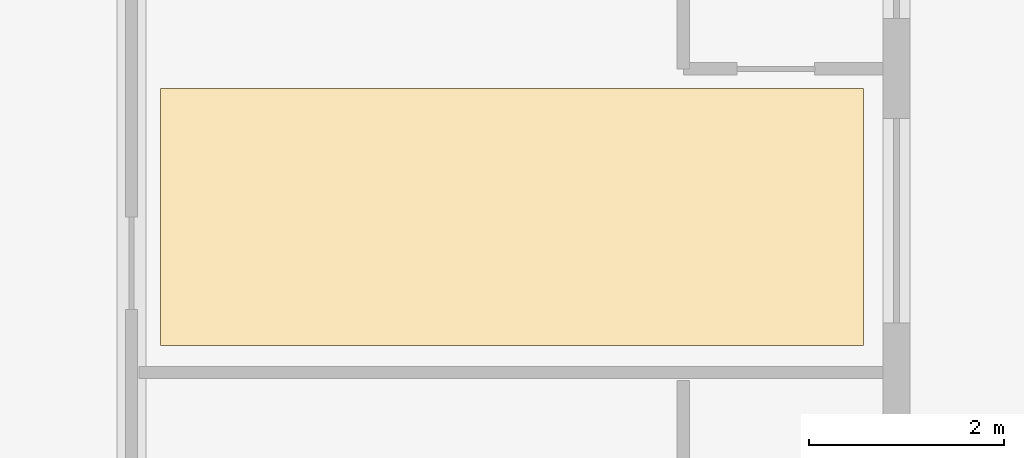
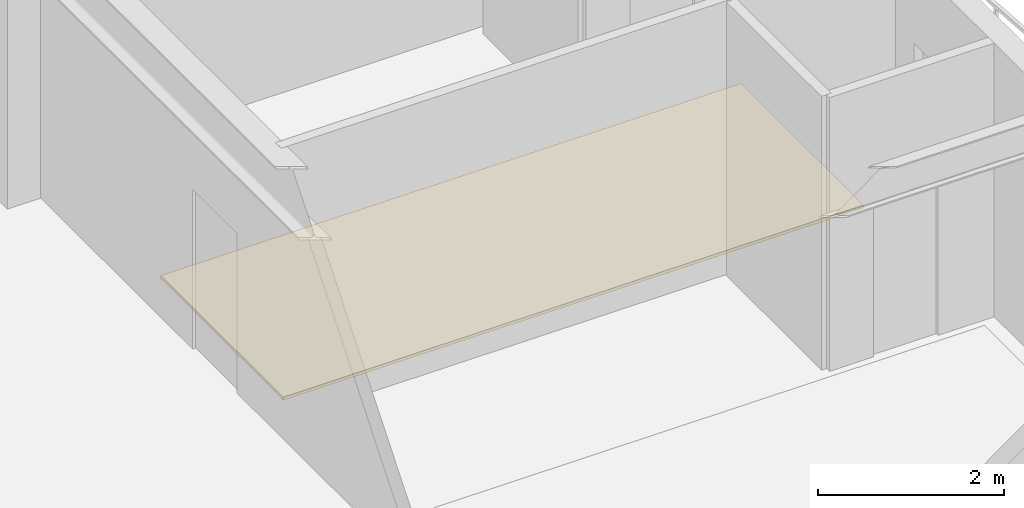
# One storey, part 12 of 13: 1 covering.
"""IFC4 building model written with IfcOpenShell, lengths in metres."""

import ifcopenshell
import ifcopenshell.guid

model = None  # the IFC model being written
_history = None  # IfcOwnerHistory: only IFC2X3 demands one
_inside = {}  # id of a spatial element -> (the spatial element, [elements in it])
_under = {}  # id of a project, library or spatial element -> (it, [spatial elements below it])
_declared = {}  # id of a project -> (the project, [libraries it declares])
_typed = {}  # id of a type object -> (the type object, [elements of that type])
_made_of = {}  # id of a material, layer set ... -> (it, [elements and type objects made of it])


def new_model(schema):
    """Start an empty IFC model of exactly this schema.

    Asked for "IFC4X3", IfcOpenShell would pick the latest addendum, in which some entities
    have other attributes; the version numbers below select the first issue.
    IFC2X3 requires an IfcOwnerHistory on every rooted entity: one is made here for all.
    """
    global model, _history
    if schema == "IFC4X3":
        model = ifcopenshell.file(schema_version=(4, 3, 0, 0))
    else:
        model = ifcopenshell.file(schema=schema)
    _inside.clear()
    _under.clear()
    _declared.clear()
    _typed.clear()
    _made_of.clear()
    _history = None
    if model.schema == "IFC2X3":
        org = make("IfcOrganization", Name="unknown")
        user = make(
            "IfcPersonAndOrganization",
            ThePerson=make("IfcPerson", FamilyName="unknown"),
            TheOrganization=org,
        )
        app = make(
            "IfcApplication",
            ApplicationDeveloper=org,
            Version="unknown",
            ApplicationFullName="unknown",
            ApplicationIdentifier="unknown",
        )
        _history = make(
            "IfcOwnerHistory",
            OwningUser=user,
            OwningApplication=app,
            ChangeAction="ADDED",
            CreationDate=0,
        )
    return model


def make(cls, **values):
    """One entity of the class cls with the attributes given. An attribute that is None is left unset."""
    return model.create_entity(
        cls, **{name: value for name, value in values.items() if value is not None}
    )


def rooted(cls, **values):
    """An entity with a GlobalId (a new one), such as an element, a storey or a relation."""
    return make(cls, GlobalId=ifcopenshell.guid.new(), OwnerHistory=_history, **values)


def si_unit(unit_type, name, prefix=None):
    """IfcSIUnit, for example si_unit("LENGTHUNIT", "METRE", prefix="MILLI")."""
    return make("IfcSIUnit", UnitType=unit_type, Prefix=prefix, Name=name)


def assignment(units):
    """IfcUnitAssignment: the units of a project."""
    return None if units is None else make("IfcUnitAssignment", Units=units)


def point(xyz):
    """IfcCartesianPoint."""
    return None if xyz is None else make("IfcCartesianPoint", Coordinates=xyz)


def direction(xyz):
    """IfcDirection."""
    return None if xyz is None else make("IfcDirection", DirectionRatios=xyz)


def frame(location, z_axis=None, x_axis=None):
    """IfcAxis2Placement3D, a coordinate frame: its origin and axes. An axis left out is left unset."""
    return make(
        "IfcAxis2Placement3D",
        Location=point(location),
        Axis=direction(z_axis),
        RefDirection=direction(x_axis),
    )


def origin():
    """The frame at (0, 0, 0) with its axes left unset."""
    return frame((0.0, 0.0, 0.0))


def place(relative_to, where):
    """IfcLocalPlacement: puts the frame where relative to a parent placement (None: the world)."""
    return make(
        "IfcLocalPlacement", PlacementRelTo=relative_to, RelativePlacement=where
    )


def context(
    kind, dimensions, precision=None, world=None, true_north=None, identifier=None
):
    """IfcGeometricRepresentationContext, for example the 3D "Model" context."""
    return make(
        "IfcGeometricRepresentationContext",
        ContextIdentifier=identifier,
        ContextType=kind,
        CoordinateSpaceDimension=dimensions,
        Precision=precision,
        WorldCoordinateSystem=world,
        TrueNorth=true_north,
    )


def subcontext(parent, identifier, kind, view, scale=None):
    """IfcGeometricRepresentationSubContext, for example "Body" below "Model"."""
    return make(
        "IfcGeometricRepresentationSubContext",
        ContextIdentifier=identifier,
        ContextType=kind,
        ParentContext=parent,
        TargetScale=scale,
        TargetView=view,
    )


def project(units=None, contexts=None):
    """IfcProject with its units and contexts."""
    return rooted(
        "IfcProject",
        Name="project",
        RepresentationContexts=contexts,
        UnitsInContext=assignment(units),
    )


def spatial(cls, under=None, at=None, **own):
    """A site, building, storey or space (cls), placed at a placement, below another one or the project."""
    s = rooted(cls, ObjectPlacement=at, **own)
    if under is not None:
        _under.setdefault(under.id(), (under, []))[1].append(s)
    return s


def polyline(points):
    """IfcPolyline through the points."""
    return make("IfcPolyline", Points=[point(p) for p in points])


def outline(outer, holes=None, kind="AREA"):
    """IfcArbitraryClosedProfileDef: a profile drawn as a closed curve; with holes, ...WithVoids."""
    if holes is None:
        return make("IfcArbitraryClosedProfileDef", ProfileType=kind, OuterCurve=outer)
    return make(
        "IfcArbitraryProfileDefWithVoids",
        ProfileType=kind,
        OuterCurve=outer,
        InnerCurves=holes,
    )


def extrude(swept, where, along, depth):
    """IfcExtrudedAreaSolid: the profile swept, set in the frame where, extruded along a direction by depth."""
    return make(
        "IfcExtrudedAreaSolid",
        SweptArea=swept,
        Position=where,
        ExtrudedDirection=direction(along),
        Depth=depth,
    )


def shape(context_of_items, identifier, shape_type, items):
    """IfcShapeRepresentation: the items that make up one representation, for example the "Body"."""
    return make(
        "IfcShapeRepresentation",
        ContextOfItems=context_of_items,
        RepresentationIdentifier=identifier,
        RepresentationType=shape_type,
        Items=items,
    )


def material(Name=None, Category=None):
    """IfcMaterial."""
    return make("IfcMaterial", Name=Name, Category=Category)


def layer(
    of_material, thickness, ventilated=None, Name=None, Category=None, Priority=None
):
    """IfcMaterialLayer: one layer of a wall or slab, of a material (None: an air gap)."""
    return make(
        "IfcMaterialLayer",
        Material=of_material,
        LayerThickness=thickness,
        IsVentilated=ventilated,
        Name=Name,
        Category=Category,
        Priority=Priority,
    )


def layer_set(layers, Name=None):
    """IfcMaterialLayerSet."""
    return make("IfcMaterialLayerSet", MaterialLayers=layers, LayerSetName=Name)


def made_of(thing, what):
    """Note that an element or type object is made of a material, layer set ...; save() writes the relation."""
    if what is not None:
        _made_of.setdefault(what.id(), (what, []))[1].append(thing)
    return thing


def type_object(cls, material=None, **own):
    """A type object (cls), such as IfcWallType, which elements share."""
    return made_of(rooted(cls, **own), material)


def element(
    cls,
    number,
    at=None,
    inside=None,
    cuts=None,
    type_object=None,
    material=None,
    context=None,
    identifier="Body",
    shape_type=None,
    held_by="IfcProductDefinitionShape",
    body=None,
    shapes=None,
    **own,
):
    """One element of the class cls, such as IfcWall. Its Tag is "e" and its number.

    at: its placement. inside: the storey or other place that contains it. cuts: it is an
    opening in that element (IfcRelVoidsElement). A single representation is given by context,
    identifier, shape_type and body (its items); several are given by shapes. held_by: the class
    of the entity that holds the representations. save() writes the other relations.
    """
    e = rooted(cls, Tag="e%d" % number, ObjectPlacement=at, **own)
    if body is not None:
        shapes = [shape(context, identifier, shape_type, body)]
    if shapes is not None:
        e.Representation = make(held_by, Representations=shapes)
    if inside is not None:
        _inside.setdefault(inside.id(), (inside, []))[1].append(e)
    if cuts is not None:
        rooted(
            "IfcRelVoidsElement", RelatingBuildingElement=cuts, RelatedOpeningElement=e
        )
    if type_object is not None:
        _typed.setdefault(type_object.id(), (type_object, []))[1].append(e)
    return made_of(e, material)


def aggregate(whole, parts):
    """IfcRelAggregates: a whole, such as a stair, and the parts it consists of."""
    return rooted("IfcRelAggregates", RelatingObject=whole, RelatedObjects=parts)


def save(model, path):
    """Write the relations noted so far, then the file.

    IfcRelAggregates (storeys below a building ...), IfcRelContainedInSpatialStructure (elements
    in a storey), IfcRelDefinesByType, IfcRelAssociatesMaterial and IfcRelDeclares: one each for
    every whole, place, type object, material and project.
    """
    for whole, parts in _under.values():
        aggregate(whole, parts)
    for where, things in _inside.values():
        rooted(
            "IfcRelContainedInSpatialStructure",
            RelatedElements=things,
            RelatingStructure=where,
        )
    for kind, things in _typed.values():
        rooted("IfcRelDefinesByType", RelatedObjects=things, RelatingType=kind)
    for what, things in _made_of.values():
        rooted("IfcRelAssociatesMaterial", RelatedObjects=things, RelatingMaterial=what)
    for by, libraries in _declared.values():
        rooted("IfcRelDeclares", RelatingContext=by, RelatedDefinitions=libraries)
    model.write(path)


model = new_model("IFC4")

# Units and contexts
model_context = context("Model", 3, precision=1e-05, world=origin(), true_north=direction((0.0, 1.0)))
body_context = subcontext(model_context, "Body", "Model", "MODEL_VIEW")
ifc_project = project(units=[si_unit("LENGTHUNIT", "METRE"), si_unit("AREAUNIT", "SQUARE_METRE"), si_unit("VOLUMEUNIT", "CUBIC_METRE"), si_unit("PLANEANGLEUNIT", "RADIAN"), si_unit("MASSUNIT", "GRAM", prefix="KILO")], contexts=[model_context])

# Site, building, storey
site_placement = place(None, origin())
site = spatial("IfcSite", under=ifc_project, at=site_placement, CompositionType="ELEMENT")
building_placement = place(site_placement, origin())
building = spatial("IfcBuilding", under=site, at=building_placement, Name="Kundavana Baori Tower", CompositionType="ELEMENT")
storey_placement = place(building_placement, frame((0.0, 0.0, 165.60009765625)))
storey = spatial("IfcBuildingStorey", under=building, at=storey_placement, Name="L40", CompositionType="ELEMENT", Elevation=165.60009765625)

# Covering
ifc_material = material(Name="Honed Kota Stone and Terrazzo Flooring", Category="masonry")
ifc_layer = layer(ifc_material, 0.0400390625, Name="COV-FLR-TERR-40")
ifc_layer_set = layer_set([ifc_layer], Name="Honed Kota Stone and Terrazzo Flooring")
covering_type = type_object("IfcCoveringType", Name="COV-FLR-TERR-40", PredefinedType="FLOORING", material=ifc_layer_set)
covering_placement = place(storey_placement, origin())
element("IfcCovering", 1, at=covering_placement, inside=storey, type_object=covering_type, Name="L40 Room Finished Stone Flooring 10", PredefinedType="FLOORING", context=body_context, shape_type="SweptSolid", body=[
    extrude(outline(polyline([(43.10009765625, 36.8798828125), (50.320068359375, 36.8798828125), (50.320068359375, 39.52001953125), (43.10009765625, 39.52001953125), (43.10009765625, 36.8798828125)])), origin(), (0.0, 0.0, 1.0), 0.039794921875),
])

save(model, "model.ifc")
